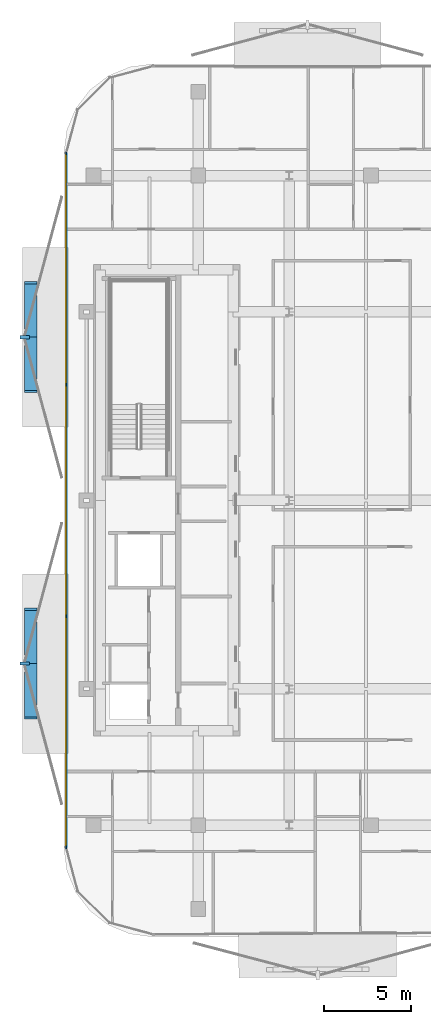
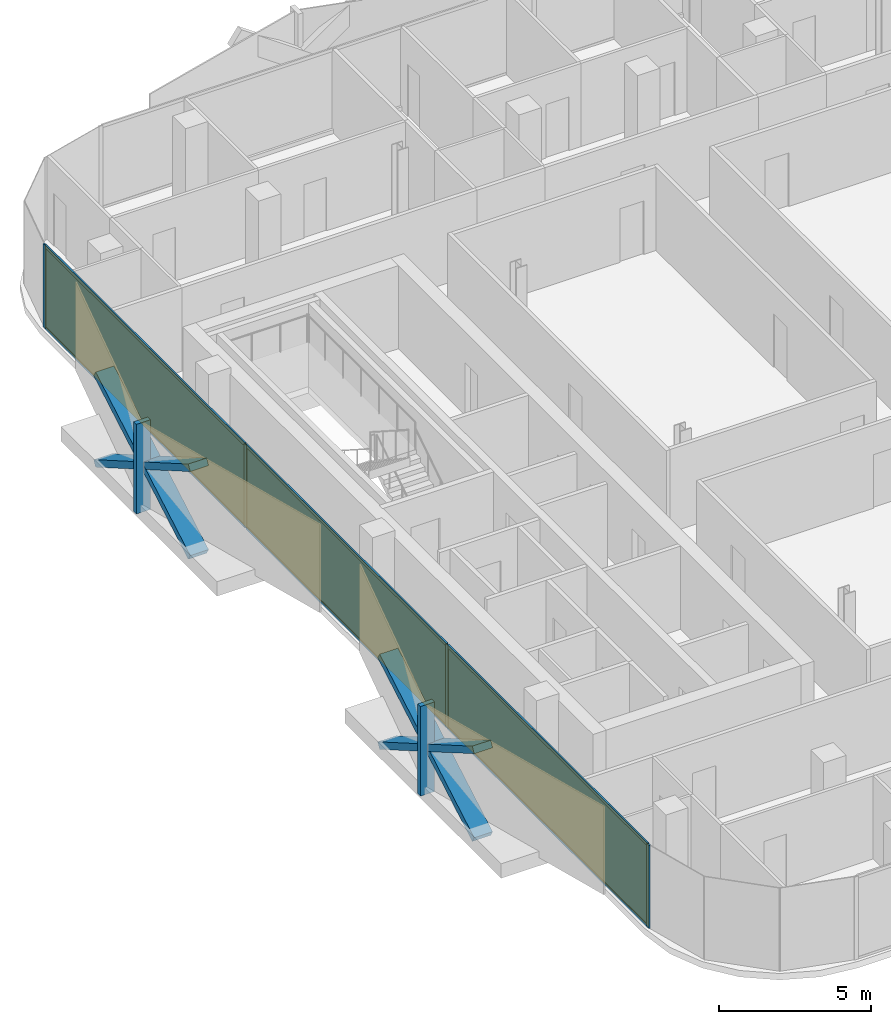
# One storey, part 9 of 16: 16 members, 3 plates, 1 curtain wall.
"""IFC4 building model written with IfcOpenShell, lengths in metres."""

from ifc_helpers import new_model, si_unit, direction, frame, frame_2d, origin, origin_2d, place, context, subcontext, project, spatial, rectangle, extrude, material, layer, layer_set, material_profile, profile_set, type_object, element, aggregate, save


model = new_model("IFC4")

# Units and contexts
model_context = context("Model", 3, precision=1e-05, world=origin(), true_north=direction((0.0, 1.0)))
body_context = subcontext(model_context, "Body", "Model", "MODEL_VIEW")
ifc_project = project(units=[si_unit("LENGTHUNIT", "METRE"), si_unit("AREAUNIT", "SQUARE_METRE"), si_unit("VOLUMEUNIT", "CUBIC_METRE"), si_unit("PLANEANGLEUNIT", "RADIAN"), si_unit("MASSUNIT", "GRAM", prefix="KILO")], contexts=[model_context])

# Member
ifc_material_1 = material(Name="Anodised Bronze Aluminium 6063-T6", Category="aluminium")
ifc_material_profile_1 = material_profile(ifc_material_1, rectangle(XDim=0.260009765625, YDim=0.699951171875, at=origin_2d()))
ifc_profile_set_1 = profile_set([ifc_material_profile_1], Name="Anodised Bronze Aluminium 6063-T6")
member_type_1 = type_object("IfcMemberType", Name="Bronze Diamond Solar-Screen Lattice Rib BDL-700", PredefinedType="MULLION", material=ifc_profile_set_1)
site_placement = place(None, origin())
building_placement = place(site_placement, origin())
storey_placement = place(building_placement, frame((0.0, 0.0, 247.60009765625)))
member_1_placement = place(storey_placement, frame((-24.0, -12.46044921875, -0.130126953125), z_axis=(0.0, 0.865840250196, 0.500320558383), x_axis=(0.0, -0.500320558383, 0.865840250196)))
member_1 = element("IfcMember", 1, at=member_1_placement, type_object=member_type_1, Name="L58 Bronze Diamond Solar Screen Lattice Rib 395A", PredefinedType="MULLION", context=body_context, shape_type="SweptSolid", body=[
    extrude(rectangle(XDim=0.260009765625, YDim=0.699951171875, at=origin_2d()), origin(), (0.0, 0.0, 1.0), 7.195556640625),
])

member_2_placement = place(storey_placement, frame((-24.0, -6.230224609375, -0.130126953125), z_axis=(0.0, -0.865840250196, 0.500320558383), x_axis=(0.0, 0.500320558383, 0.865840250196)))
member_2 = element("IfcMember", 2, at=member_2_placement, type_object=member_type_1, Name="L58 Bronze Diamond Solar Screen Lattice Rib 395B", PredefinedType="MULLION", context=body_context, shape_type="SweptSolid", body=[
    extrude(rectangle(XDim=0.260009765625, YDim=0.699951171875, at=origin_2d()), origin(), (0.0, 0.0, 1.0), 7.195556640625),
])

member_3_placement = place(storey_placement, frame((-24.0, 6.230224609375, -0.130126953125), z_axis=(0.0, 0.865840250196, 0.500320558383), x_axis=(0.0, -0.500320558383, 0.865840250196)))
member_3 = element("IfcMember", 3, at=member_3_placement, type_object=member_type_1, Name="L58 Bronze Diamond Solar Screen Lattice Rib 396A", PredefinedType="MULLION", context=body_context, shape_type="SweptSolid", body=[
    extrude(rectangle(XDim=0.260009765625, YDim=0.699951171875, at=origin_2d()), origin(), (0.0, 0.0, 1.0), 7.195556640625),
])

member_4_placement = place(storey_placement, frame((-24.0, 12.46044921875, -0.130126953125), z_axis=(0.0, -0.865840250196, 0.500320558383), x_axis=(0.0, 0.500320558383, 0.865840250196)))
member_4 = element("IfcMember", 4, at=member_4_placement, type_object=member_type_1, Name="L58 Bronze Diamond Solar Screen Lattice Rib 396B", PredefinedType="MULLION", context=body_context, shape_type="SweptSolid", body=[
    extrude(rectangle(XDim=0.260009765625, YDim=0.699951171875, at=origin_2d()), origin(), (0.0, 0.0, 1.0), 7.195556640625),
])

ifc_material_2 = material(Name="Anodised Bronze Aluminium 6063-T6", Category="aluminium")
ifc_material_profile_2 = material_profile(ifc_material_2, rectangle(XDim=0.179931640625, YDim=0.5400390625, at=origin_2d()))
ifc_profile_set_2 = profile_set([ifc_material_profile_2], Name="Anodised Bronze Aluminium 6063-T6")
member_type_2 = type_object("IfcMemberType", Name="Bronze Solar-Screen Vertical Fold Fin BSF-540", PredefinedType="MULLION", material=ifc_profile_set_2)
member_5_placement = place(storey_placement, frame((-24.340087890625, -9.345458984375, -0.130126953125), z_axis=(0.0, 0.0, 1.0), x_axis=(0.0, 1.0, 0.0)))
member_5 = element("IfcMember", 5, at=member_5_placement, type_object=member_type_2, Name="L58 Bronze Solar Screen Vertical Fin 395", PredefinedType="MULLION", context=body_context, shape_type="SweptSolid", body=[
    extrude(rectangle(XDim=0.179931640625, YDim=0.5400390625, at=origin_2d()), origin(), (0.0, 0.0, 1.0), 3.60009765625),
])

member_6_placement = place(storey_placement, frame((-24.340087890625, 9.345458984375, -0.130126953125), z_axis=(0.0, 0.0, 1.0), x_axis=(0.0, 1.0, 0.0)))
member_6 = element("IfcMember", 6, at=member_6_placement, type_object=member_type_2, Name="L58 Bronze Solar Screen Vertical Fin 396", PredefinedType="MULLION", context=body_context, shape_type="SweptSolid", body=[
    extrude(rectangle(XDim=0.179931640625, YDim=0.5400390625, at=origin_2d()), origin(), (0.0, 0.0, 1.0), 3.60009765625),
])

ifc_material_3 = material(Name="Anodised Bronze Aluminium 6063-T6", Category="aluminium")
ifc_material_profile_3 = material_profile(ifc_material_3, rectangle(XDim=0.06005859375, YDim=0.159912109375, at=origin_2d()))
ifc_profile_set_3 = profile_set([ifc_material_profile_3], Name="Anodised Bronze Aluminium 6063-T6")
member_type_3 = type_object("IfcMemberType", Name="CW-Z4 Mullion 60x160", PredefinedType="MULLION", material=ifc_profile_set_3)
member_7_placement = place(storey_placement, frame((-21.9599609375, -19.86083984375, 0.0), z_axis=(0.0, 0.0, 1.0), x_axis=(-1.0, 0.0, 0.0)))
member_7 = element("IfcMember", 7, at=member_7_placement, type_object=member_type_3, Name="CW-Z4 mullion 1", PredefinedType="MULLION", context=body_context, shape_type="SweptSolid", body=[
    extrude(rectangle(XDim=0.06005859375, YDim=0.159912109375, at=origin_2d()), origin(), (0.0, 0.0, 1.0), 3.33984375),
])

member_8_placement = place(storey_placement, frame((-21.9599609375, -6.63037109375, 0.0), z_axis=(0.0, 0.0, 1.0), x_axis=(-1.0, 0.0, 0.0)))
member_8 = element("IfcMember", 8, at=member_8_placement, type_object=member_type_3, Name="CW-Z4 mullion 2", PredefinedType="MULLION", context=body_context, shape_type="SweptSolid", body=[
    extrude(rectangle(XDim=0.06005859375, YDim=0.159912109375, at=origin_2d()), origin(), (0.0, 0.0, 1.0), 3.33984375),
])

member_9_placement = place(storey_placement, frame((-21.9599609375, 6.63037109375, 0.0), z_axis=(0.0, 0.0, 1.0), x_axis=(-1.0, 0.0, 0.0)))
member_9 = element("IfcMember", 9, at=member_9_placement, type_object=member_type_3, Name="CW-Z4 mullion 3", PredefinedType="MULLION", context=body_context, shape_type="SweptSolid", body=[
    extrude(rectangle(XDim=0.06005859375, YDim=0.159912109375, at=origin_2d()), origin(), (0.0, 0.0, 1.0), 3.33984375),
])

member_10_placement = place(storey_placement, frame((-21.9599609375, 19.86083984375, 0.0), z_axis=(0.0, 0.0, 1.0), x_axis=(-1.0, 0.0, 0.0)))
member_10 = element("IfcMember", 10, at=member_10_placement, type_object=member_type_3, Name="CW-Z4 mullion 4", PredefinedType="MULLION", context=body_context, shape_type="SweptSolid", body=[
    extrude(rectangle(XDim=0.06005859375, YDim=0.159912109375, at=origin_2d()), origin(), (0.0, 0.0, 1.0), 3.33984375),
])

ifc_material_4 = material(Name="Anodised Bronze Aluminium 6063-T6", Category="aluminium")
ifc_material_profile_4 = material_profile(ifc_material_4, rectangle(XDim=0.06005859375, YDim=0.125, at=origin_2d()))
ifc_profile_set_4 = profile_set([ifc_material_profile_4], Name="Anodised Bronze Aluminium 6063-T6")
member_type_4 = type_object("IfcMemberType", Name="CW-Z4 Transom 60x125", PredefinedType="USERDEFINED", material=ifc_profile_set_4)
member_11_placement = place(storey_placement, frame((-21.9599609375, -19.830810546875, 0.02978515625), z_axis=(0.0, 1.0, 0.0), x_axis=(-1.0, 0.0, 0.0)))
member_11 = element("IfcMember", 11, at=member_11_placement, type_object=member_type_4, Name="CW-Z4 transom 1.1", ObjectType="TRANSOM", PredefinedType="USERDEFINED", context=body_context, shape_type="SweptSolid", body=[
    extrude(rectangle(XDim=0.06005859375, YDim=0.125, at=origin_2d()), origin(), (0.0, 0.0, 1.0), 13.170654296875),
])

member_12_placement = place(storey_placement, frame((-21.9599609375, -19.830810546875, 3.309814453125), z_axis=(0.0, 1.0, 0.0), x_axis=(-1.0, 0.0, 0.0)))
member_12 = element("IfcMember", 12, at=member_12_placement, type_object=member_type_4, Name="CW-Z4 transom 1.2", ObjectType="TRANSOM", PredefinedType="USERDEFINED", context=body_context, shape_type="SweptSolid", body=[
    extrude(rectangle(XDim=0.06005859375, YDim=0.125, at=origin_2d()), origin(), (0.0, 0.0, 1.0), 13.170654296875),
])

member_13_placement = place(storey_placement, frame((-21.9599609375, -6.600341796875, 0.02978515625), z_axis=(0.0, 1.0, 0.0), x_axis=(-1.0, 0.0, 0.0)))
member_13 = element("IfcMember", 13, at=member_13_placement, type_object=member_type_4, Name="CW-Z4 transom 2.1", ObjectType="TRANSOM", PredefinedType="USERDEFINED", context=body_context, shape_type="SweptSolid", body=[
    extrude(rectangle(XDim=0.06005859375, YDim=0.125, at=origin_2d()), origin(), (0.0, 0.0, 1.0), 13.20068359375),
])

member_14_placement = place(storey_placement, frame((-21.9599609375, -6.600341796875, 3.309814453125), z_axis=(0.0, 1.0, 0.0), x_axis=(-1.0, 0.0, 0.0)))
member_14 = element("IfcMember", 14, at=member_14_placement, type_object=member_type_4, Name="CW-Z4 transom 2.2", ObjectType="TRANSOM", PredefinedType="USERDEFINED", context=body_context, shape_type="SweptSolid", body=[
    extrude(rectangle(XDim=0.06005859375, YDim=0.125, at=origin_2d()), origin(), (0.0, 0.0, 1.0), 13.20068359375),
])

member_15_placement = place(storey_placement, frame((-21.9599609375, 6.66015625, 0.02978515625), z_axis=(0.0, 1.0, 0.0), x_axis=(-1.0, 0.0, 0.0)))
member_15 = element("IfcMember", 15, at=member_15_placement, type_object=member_type_4, Name="CW-Z4 transom 3.1", ObjectType="TRANSOM", PredefinedType="USERDEFINED", context=body_context, shape_type="SweptSolid", body=[
    extrude(rectangle(XDim=0.06005859375, YDim=0.125, at=origin_2d()), origin(), (0.0, 0.0, 1.0), 13.170654296875),
])

member_16_placement = place(storey_placement, frame((-21.9599609375, 6.66015625, 3.309814453125), z_axis=(0.0, 1.0, 0.0), x_axis=(-1.0, 0.0, 0.0)))
member_16 = element("IfcMember", 16, at=member_16_placement, type_object=member_type_4, Name="CW-Z4 transom 3.2", ObjectType="TRANSOM", PredefinedType="USERDEFINED", context=body_context, shape_type="SweptSolid", body=[
    extrude(rectangle(XDim=0.06005859375, YDim=0.125, at=origin_2d()), origin(), (0.0, 0.0, 1.0), 13.170654296875),
])

# Plate
ifc_material_5 = material(Name="Low-E Solar Control Laminated Glass", Category="glass")
ifc_layer_1 = layer(ifc_material_5, 0.030029296875, Name="Low-E Solar Control Laminated Glass")
ifc_layer_set_1 = layer_set([ifc_layer_1], Name="Low-E Solar Control Laminated Glass")
plate_type = type_object("IfcPlateType", Name="CW-Z4 Low-E Double Glazed Panel 30mm", PredefinedType="CURTAIN_PANEL", material=ifc_layer_set_1)
plate_1_placement = place(storey_placement, frame((-21.9599609375, -13.24560546875, 0.06005859375), z_axis=(0.0, 0.0, 1.0), x_axis=(0.0, 1.0, 0.0)))
plate_1 = element("IfcPlate", 17, at=plate_1_placement, type_object=plate_type, Name="CW-Z4 panel 1.1", PredefinedType="CURTAIN_PANEL", context=body_context, shape_type="SweptSolid", body=[
    extrude(rectangle(XDim=13.170654296875, YDim=0.030029296875, at=origin_2d()), origin(), (0.0, 0.0, 1.0), 3.219970703125),
])

plate_2_placement = place(storey_placement, frame((-21.9599609375, 0.0, 0.06005859375), z_axis=(0.0, 0.0, 1.0), x_axis=(0.0, 1.0, 0.0)))
plate_2 = element("IfcPlate", 18, at=plate_2_placement, type_object=plate_type, Name="CW-Z4 panel 2.1", PredefinedType="CURTAIN_PANEL", context=body_context, shape_type="SweptSolid", body=[
    extrude(rectangle(XDim=13.200439453125, YDim=0.030029296875, at=origin_2d()), origin(), (0.0, 0.0, 1.0), 3.219970703125),
])

plate_3_placement = place(storey_placement, frame((-21.9599609375, 13.24560546875, 0.06005859375), z_axis=(0.0, 0.0, 1.0), x_axis=(0.0, 1.0, 0.0)))
plate_3 = element("IfcPlate", 19, at=plate_3_placement, type_object=plate_type, Name="CW-Z4 panel 3.1", PredefinedType="CURTAIN_PANEL", context=body_context, shape_type="SweptSolid", body=[
    extrude(rectangle(XDim=13.170654296875, YDim=0.030029296875, at=origin_2d()), origin(), (0.0, 0.0, 1.0), 3.219970703125),
])

# Site, building, storey
site = spatial("IfcSite", under=ifc_project, at=site_placement, CompositionType="ELEMENT")
building = spatial("IfcBuilding", under=site, at=building_placement, Name="Khairoan Windgate Tower", CompositionType="ELEMENT")
storey = spatial("IfcBuildingStorey", under=building, at=storey_placement, Name="L58", CompositionType="ELEMENT", Elevation=247.60009765625)

# Curtain wall
ifc_material_6 = material(Name="Anodised Bronze Aluminium 6063-T6", Category="aluminium")
ifc_layer_2 = layer(ifc_material_6, 0.159912109375, Name="Anodised Bronze Aluminium 6063-T6")
ifc_layer_set_2 = layer_set([ifc_layer_2], Name="Anodised Bronze Aluminium 6063-T6")
curtain_wall_type = type_object("IfcCurtainWallType", Name="Sky Residence Unitised Curtain Wall CW-Z4", PredefinedType="NOTDEFINED", material=ifc_layer_set_2)
curtain_wall_placement = place(storey_placement, frame((-21.9599609375, -19.890869140625, 0.0), z_axis=(0.0, 0.0, 1.0), x_axis=(0.0, 1.0, 0.0)))
curtain_wall = element("IfcCurtainWall", 20, at=curtain_wall_placement, inside=storey, type_object=curtain_wall_type, Name="L58 Unitised Curtain Wall 5", PredefinedType="NOTDEFINED", context=body_context, shape_type="SweptSolid", body=[
    extrude(rectangle(XDim=39.78173828125, YDim=0.010009765625, at=frame_2d((19.890869140625, 0.0))), origin(), (0.0, 0.0, 1.0), 3.33984375),
])

aggregate(curtain_wall, [member_7, member_8, member_9, member_10, member_11, member_12, plate_1, member_13, member_14, plate_2, member_15, member_16, plate_3, member_1, member_2, member_5, member_3, member_4, member_6])

save(model, "model.ifc")
